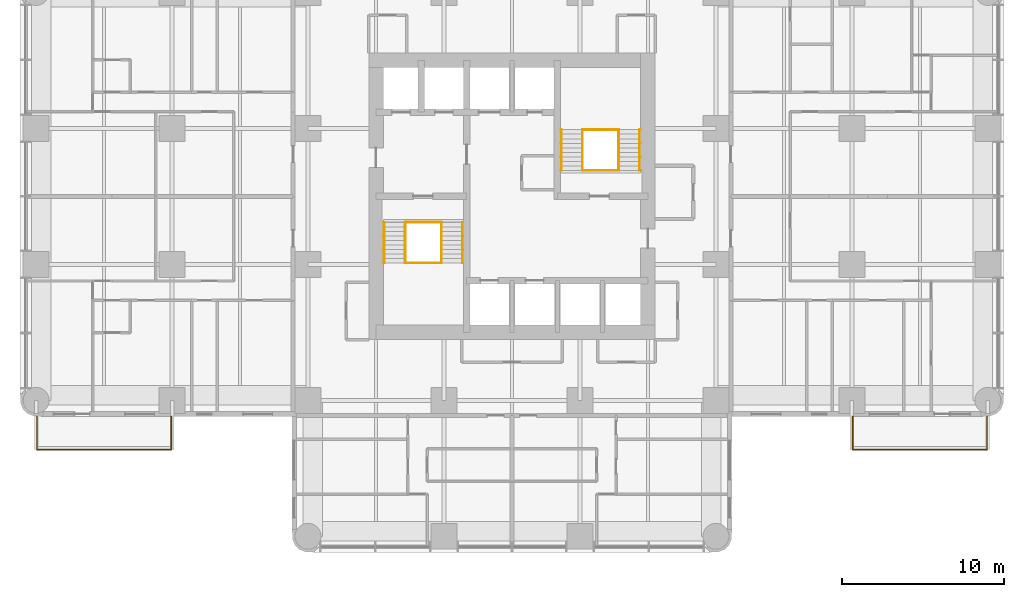
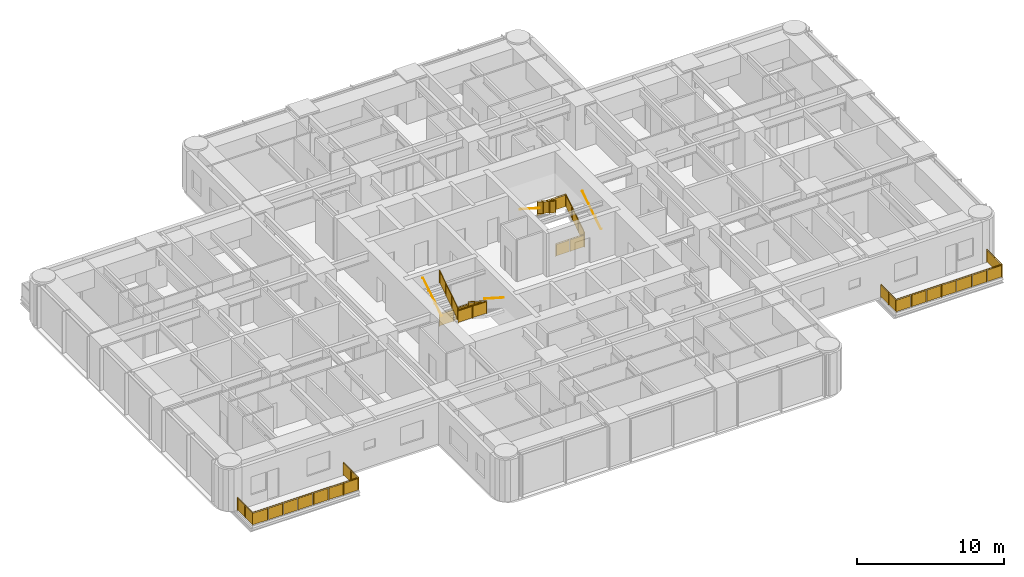
# One storey, part 14 of 15: 14 railings.
"""IFC4 building model written with IfcOpenShell, lengths in metres."""

from ifc_helpers import new_model, si_unit, direction, frame, origin, origin_2d, place, context, subcontext, project, spatial, polyline, circle, outline, extrude, material, constituent, constituent_set, type_object, element, save


model = new_model("IFC4")

# Units and contexts
model_context = context("Model", 3, precision=1e-05, world=origin(), true_north=direction((0.0, 1.0)))
body_context = subcontext(model_context, "Body", "Model", "MODEL_VIEW")
ifc_project = project(units=[si_unit("LENGTHUNIT", "METRE"), si_unit("AREAUNIT", "SQUARE_METRE"), si_unit("VOLUMEUNIT", "CUBIC_METRE"), si_unit("PLANEANGLEUNIT", "RADIAN"), si_unit("MASSUNIT", "GRAM", prefix="KILO")], contexts=[model_context])

# Site, building, storey
site_placement = place(None, origin())
site = spatial("IfcSite", under=ifc_project, at=site_placement, CompositionType="ELEMENT")
building_placement = place(site_placement, origin())
building = spatial("IfcBuilding", under=site, at=building_placement, Name="Torre Alcanfor", CompositionType="ELEMENT")
storey_placement = place(building_placement, frame((0.0, 0.0, 152.10009765625)))
storey = spatial("IfcBuildingStorey", under=building, at=storey_placement, Name="L39", CompositionType="ELEMENT", Elevation=152.10009765625)

# Railings
ifc_material_1 = material(Name="Laminated safety glass", Category="glass")
ifc_constituent_1 = constituent(ifc_material_1, Name="Infill")
ifc_material_2 = material(Name="Stainless steel ASTM A554 Grade MT 316L tube", Category="steel")
ifc_constituent_2 = constituent(ifc_material_2, Name="Posts and rail")
ifc_constituent_set = constituent_set(constituents=[ifc_constituent_1, ifc_constituent_2], Name="Balcony guard glass 1100")
railing_type_1 = type_object("IfcRailingType", Name="Balcony guard glass 1100", PredefinedType="BALUSTRADE", material=ifc_constituent_set)
railing_1_placement = place(storey_placement, frame((50.449951171875, 15.800048828125, 0.0)))
element("IfcRailing", 1, at=railing_1_placement, inside=storey, type_object=railing_type_1, Name="Balcony guard L39-E2", PredefinedType="BALUSTRADE", context=body_context, shape_type="SweptSolid", body=[
    extrude(circle(Radius=0.02392578125, at=origin_2d()), frame((0.0, 0.0, 1.076171875), z_axis=(0.0, -1.0, 0.0), x_axis=(1.0, 0.0, 0.0)), (0.0, 0.0, 1.0), 2.050048828125),
    extrude(circle(Radius=0.02392578125, at=origin_2d()), frame((0.0, -2.050048828125, 1.076171875), z_axis=(1.0, 0.0, 0.0), x_axis=(0.0, 1.0, 0.0)), (0.0, 0.0, 1.0), 8.300048828125),
    extrude(circle(Radius=0.02392578125, at=origin_2d()), frame((8.300048828125, -2.050048828125, 1.076171875), z_axis=(0.0, 1.0, 0.0), x_axis=(-1.0, 0.0, 0.0)), (0.0, 0.0, 1.0), 2.050048828125),
    extrude(circle(Radius=0.02099609375, at=origin_2d()), origin(), (0.0, 0.0, 1.0), 1.052001953125),
    extrude(circle(Radius=0.02099609375, at=origin_2d()), frame((0.0, -1.02490234375, 0.0)), (0.0, 0.0, 1.0), 1.052001953125),
    extrude(circle(Radius=0.02099609375, at=origin_2d()), frame((0.0, -2.050048828125, 0.0)), (0.0, 0.0, 1.0), 1.052001953125),
    extrude(circle(Radius=0.02099609375, at=origin_2d()), frame((1.185791015625, -2.050048828125, 0.0)), (0.0, 0.0, 1.0), 1.052001953125),
    extrude(circle(Radius=0.02099609375, at=origin_2d()), frame((2.371337890625, -2.050048828125, 0.0)), (0.0, 0.0, 1.0), 1.052001953125),
    extrude(circle(Radius=0.02099609375, at=origin_2d()), frame((3.55712890625, -2.050048828125, 0.0)), (0.0, 0.0, 1.0), 1.052001953125),
    extrude(circle(Radius=0.02099609375, at=origin_2d()), frame((4.742919921875, -2.050048828125, 0.0)), (0.0, 0.0, 1.0), 1.052001953125),
    extrude(circle(Radius=0.02099609375, at=origin_2d()), frame((5.9287109375, -2.050048828125, 0.0)), (0.0, 0.0, 1.0), 1.052001953125),
    extrude(circle(Radius=0.02099609375, at=origin_2d()), frame((7.1142578125, -2.050048828125, 0.0)), (0.0, 0.0, 1.0), 1.052001953125),
    extrude(circle(Radius=0.02099609375, at=origin_2d()), frame((8.300048828125, -2.050048828125, 0.0)), (0.0, 0.0, 1.0), 1.052001953125),
    extrude(circle(Radius=0.02099609375, at=origin_2d()), frame((8.300048828125, -1.02490234375, 0.0)), (0.0, 0.0, 1.0), 1.052001953125),
    extrude(circle(Radius=0.02099609375, at=origin_2d()), frame((8.300048828125, 0.0, 0.0)), (0.0, 0.0, 1.0), 1.052001953125),
    extrude(outline(polyline([(0.041015625, 0.050048828125), (0.984130859375, 0.050048828125), (0.984130859375, 1.001953125), (0.041015625, 1.001953125), (0.041015625, 0.050048828125)])), frame((0.005859375, 0.0, 0.0), z_axis=(-1.0, 0.0, 0.0), x_axis=(0.0, -1.0, 0.0)), (0.0, 0.0, 1.0), 0.011962890625),
    extrude(outline(polyline([(1.06591796875, 0.050048828125), (2.009033203125, 0.050048828125), (2.009033203125, 1.001953125), (1.06591796875, 1.001953125), (1.06591796875, 0.050048828125)])), frame((0.005859375, 0.0, 0.0), z_axis=(-1.0, 0.0, 0.0), x_axis=(0.0, -1.0, 0.0)), (0.0, 0.0, 1.0), 0.011962890625),
    extrude(outline(polyline([(0.041015625, 0.050048828125), (1.144775390625, 0.050048828125), (1.144775390625, 1.001953125), (0.041015625, 1.001953125), (0.041015625, 0.050048828125)])), frame((0.0, -2.0439453125, 0.0), z_axis=(0.0, -1.0, 0.0), x_axis=(1.0, 0.0, 0.0)), (0.0, 0.0, 1.0), 0.011962890625),
    extrude(outline(polyline([(1.226806640625, 0.050048828125), (2.330322265625, 0.050048828125), (2.330322265625, 1.001953125), (1.226806640625, 1.001953125), (1.226806640625, 0.050048828125)])), frame((0.0, -2.0439453125, 0.0), z_axis=(0.0, -1.0, 0.0), x_axis=(1.0, 0.0, 0.0)), (0.0, 0.0, 1.0), 0.011962890625),
    extrude(outline(polyline([(2.412353515625, 0.050048828125), (3.51611328125, 0.050048828125), (3.51611328125, 1.001953125), (2.412353515625, 1.001953125), (2.412353515625, 0.050048828125)])), frame((0.0, -2.0439453125, 0.0), z_axis=(0.0, -1.0, 0.0), x_axis=(1.0, 0.0, 0.0)), (0.0, 0.0, 1.0), 0.011962890625),
    extrude(outline(polyline([(3.59814453125, 0.050048828125), (4.701904296875, 0.050048828125), (4.701904296875, 1.001953125), (3.59814453125, 1.001953125), (3.59814453125, 0.050048828125)])), frame((0.0, -2.0439453125, 0.0), z_axis=(0.0, -1.0, 0.0), x_axis=(1.0, 0.0, 0.0)), (0.0, 0.0, 1.0), 0.011962890625),
    extrude(outline(polyline([(4.783935546875, 0.050048828125), (5.8876953125, 0.050048828125), (5.8876953125, 1.001953125), (4.783935546875, 1.001953125), (4.783935546875, 0.050048828125)])), frame((0.0, -2.0439453125, 0.0), z_axis=(0.0, -1.0, 0.0), x_axis=(1.0, 0.0, 0.0)), (0.0, 0.0, 1.0), 0.011962890625),
    extrude(outline(polyline([(5.9697265625, 0.050048828125), (7.0732421875, 0.050048828125), (7.0732421875, 1.001953125), (5.9697265625, 1.001953125), (5.9697265625, 0.050048828125)])), frame((0.0, -2.0439453125, 0.0), z_axis=(0.0, -1.0, 0.0), x_axis=(1.0, 0.0, 0.0)), (0.0, 0.0, 1.0), 0.011962890625),
    extrude(outline(polyline([(7.1552734375, 0.050048828125), (8.259033203125, 0.050048828125), (8.259033203125, 1.001953125), (7.1552734375, 1.001953125), (7.1552734375, 0.050048828125)])), frame((0.0, -2.0439453125, 0.0), z_axis=(0.0, -1.0, 0.0), x_axis=(1.0, 0.0, 0.0)), (0.0, 0.0, 1.0), 0.011962890625),
    extrude(outline(polyline([(0.041015625, 0.050048828125), (0.984130859375, 0.050048828125), (0.984130859375, 1.001953125), (0.041015625, 1.001953125), (0.041015625, 0.050048828125)])), frame((8.2939453125, -2.050048828125, 0.0), z_axis=(1.0, 0.0, 0.0), x_axis=(0.0, 1.0, 0.0)), (0.0, 0.0, 1.0), 0.011962890625),
    extrude(outline(polyline([(1.06591796875, 0.050048828125), (2.009033203125, 0.050048828125), (2.009033203125, 1.001953125), (1.06591796875, 1.001953125), (1.06591796875, 0.050048828125)])), frame((8.2939453125, -2.050048828125, 0.0), z_axis=(1.0, 0.0, 0.0), x_axis=(0.0, 1.0, 0.0)), (0.0, 0.0, 1.0), 0.011962890625),
])
railing_2_placement = place(storey_placement, frame((8.35009765625, 15.800048828125, 0.0)))
element("IfcRailing", 2, at=railing_2_placement, inside=storey, type_object=railing_type_1, Name="Balcony guard L39-W1", PredefinedType="BALUSTRADE", context=body_context, shape_type="SweptSolid", body=[
    extrude(circle(Radius=0.02392578125, at=origin_2d()), frame((0.0, 0.0, 1.076171875), z_axis=(0.0, -1.0, 0.0), x_axis=(1.0, 0.0, 0.0)), (0.0, 0.0, 1.0), 2.050048828125),
    extrude(circle(Radius=0.02392578125, at=origin_2d()), frame((0.0, -2.050048828125, 1.076171875), z_axis=(-1.0, 0.0, 0.0), x_axis=(0.0, -1.0, 0.0)), (0.0, 0.0, 1.0), 8.300048828125),
    extrude(circle(Radius=0.02392578125, at=origin_2d()), frame((-8.300048828125, -2.050048828125, 1.076171875), z_axis=(0.0, 1.0, 0.0), x_axis=(-1.0, 0.0, 0.0)), (0.0, 0.0, 1.0), 2.050048828125),
    extrude(circle(Radius=0.02099609375, at=origin_2d()), origin(), (0.0, 0.0, 1.0), 1.052001953125),
    extrude(circle(Radius=0.02099609375, at=origin_2d()), frame((0.0, -1.02490234375, 0.0)), (0.0, 0.0, 1.0), 1.052001953125),
    extrude(circle(Radius=0.02099609375, at=origin_2d()), frame((0.0, -2.050048828125, 0.0)), (0.0, 0.0, 1.0), 1.052001953125),
    extrude(circle(Radius=0.02099609375, at=origin_2d()), frame((-1.185791015625, -2.050048828125, 0.0)), (0.0, 0.0, 1.0), 1.052001953125),
    extrude(circle(Radius=0.02099609375, at=origin_2d()), frame((-2.371337890625, -2.050048828125, 0.0)), (0.0, 0.0, 1.0), 1.052001953125),
    extrude(circle(Radius=0.02099609375, at=origin_2d()), frame((-3.55712890625, -2.050048828125, 0.0)), (0.0, 0.0, 1.0), 1.052001953125),
    extrude(circle(Radius=0.02099609375, at=origin_2d()), frame((-4.742919921875, -2.050048828125, 0.0)), (0.0, 0.0, 1.0), 1.052001953125),
    extrude(circle(Radius=0.02099609375, at=origin_2d()), frame((-5.9287109375, -2.050048828125, 0.0)), (0.0, 0.0, 1.0), 1.052001953125),
    extrude(circle(Radius=0.02099609375, at=origin_2d()), frame((-7.1142578125, -2.050048828125, 0.0)), (0.0, 0.0, 1.0), 1.052001953125),
    extrude(circle(Radius=0.02099609375, at=origin_2d()), frame((-8.300048828125, -2.050048828125, 0.0)), (0.0, 0.0, 1.0), 1.052001953125),
    extrude(circle(Radius=0.02099609375, at=origin_2d()), frame((-8.300048828125, -1.02490234375, 0.0)), (0.0, 0.0, 1.0), 1.052001953125),
    extrude(circle(Radius=0.02099609375, at=origin_2d()), frame((-8.300048828125, 0.0, 0.0)), (0.0, 0.0, 1.0), 1.052001953125),
    extrude(outline(polyline([(0.041015625, 0.050048828125), (0.984130859375, 0.050048828125), (0.984130859375, 1.001953125), (0.041015625, 1.001953125), (0.041015625, 0.050048828125)])), frame((0.005859375, 0.0, 0.0), z_axis=(-1.0, 0.0, 0.0), x_axis=(0.0, -1.0, 0.0)), (0.0, 0.0, 1.0), 0.011962890625),
    extrude(outline(polyline([(1.06591796875, 0.050048828125), (2.009033203125, 0.050048828125), (2.009033203125, 1.001953125), (1.06591796875, 1.001953125), (1.06591796875, 0.050048828125)])), frame((0.005859375, 0.0, 0.0), z_axis=(-1.0, 0.0, 0.0), x_axis=(0.0, -1.0, 0.0)), (0.0, 0.0, 1.0), 0.011962890625),
    extrude(outline(polyline([(0.041015625, 0.050048828125), (1.144775390625, 0.050048828125), (1.144775390625, 1.001953125), (0.041015625, 1.001953125), (0.041015625, 0.050048828125)])), frame((0.0, -2.05615234375, 0.0), z_axis=(0.0, 1.0, 0.0), x_axis=(-1.0, 0.0, 0.0)), (0.0, 0.0, 1.0), 0.011962890625),
    extrude(outline(polyline([(1.226806640625, 0.050048828125), (2.330322265625, 0.050048828125), (2.330322265625, 1.001953125), (1.226806640625, 1.001953125), (1.226806640625, 0.050048828125)])), frame((0.0, -2.05615234375, 0.0), z_axis=(0.0, 1.0, 0.0), x_axis=(-1.0, 0.0, 0.0)), (0.0, 0.0, 1.0), 0.011962890625),
    extrude(outline(polyline([(2.412353515625, 0.050048828125), (3.51611328125, 0.050048828125), (3.51611328125, 1.001953125), (2.412353515625, 1.001953125), (2.412353515625, 0.050048828125)])), frame((0.0, -2.05615234375, 0.0), z_axis=(0.0, 1.0, 0.0), x_axis=(-1.0, 0.0, 0.0)), (0.0, 0.0, 1.0), 0.011962890625),
    extrude(outline(polyline([(3.59814453125, 0.050048828125), (4.701904296875, 0.050048828125), (4.701904296875, 1.001953125), (3.59814453125, 1.001953125), (3.59814453125, 0.050048828125)])), frame((0.0, -2.05615234375, 0.0), z_axis=(0.0, 1.0, 0.0), x_axis=(-1.0, 0.0, 0.0)), (0.0, 0.0, 1.0), 0.011962890625),
    extrude(outline(polyline([(4.783935546875, 0.050048828125), (5.8876953125, 0.050048828125), (5.8876953125, 1.001953125), (4.783935546875, 1.001953125), (4.783935546875, 0.050048828125)])), frame((0.0, -2.05615234375, 0.0), z_axis=(0.0, 1.0, 0.0), x_axis=(-1.0, 0.0, 0.0)), (0.0, 0.0, 1.0), 0.011962890625),
    extrude(outline(polyline([(5.9697265625, 0.050048828125), (7.0732421875, 0.050048828125), (7.0732421875, 1.001953125), (5.9697265625, 1.001953125), (5.9697265625, 0.050048828125)])), frame((0.0, -2.05615234375, 0.0), z_axis=(0.0, 1.0, 0.0), x_axis=(-1.0, 0.0, 0.0)), (0.0, 0.0, 1.0), 0.011962890625),
    extrude(outline(polyline([(7.1552734375, 0.050048828125), (8.259033203125, 0.050048828125), (8.259033203125, 1.001953125), (7.1552734375, 1.001953125), (7.1552734375, 0.050048828125)])), frame((0.0, -2.05615234375, 0.0), z_axis=(0.0, 1.0, 0.0), x_axis=(-1.0, 0.0, 0.0)), (0.0, 0.0, 1.0), 0.011962890625),
    extrude(outline(polyline([(0.041015625, 0.050048828125), (0.984130859375, 0.050048828125), (0.984130859375, 1.001953125), (0.041015625, 1.001953125), (0.041015625, 0.050048828125)])), frame((-8.30615234375, -2.050048828125, 0.0), z_axis=(1.0, 0.0, 0.0), x_axis=(0.0, 1.0, 0.0)), (0.0, 0.0, 1.0), 0.011962890625),
    extrude(outline(polyline([(1.06591796875, 0.050048828125), (2.009033203125, 0.050048828125), (2.009033203125, 1.001953125), (1.06591796875, 1.001953125), (1.06591796875, 0.050048828125)])), frame((-8.30615234375, -2.050048828125, 0.0), z_axis=(1.0, 0.0, 0.0), x_axis=(0.0, 1.0, 0.0)), (0.0, 0.0, 1.0), 0.011962890625),
])
ifc_material_3 = material(Name="Steel ASTM A500 Grade C hollow sections", Category="steel")
railing_type_2 = type_object("IfcRailingType", Name="Stair guard and handrail 1100", PredefinedType="GUARDRAIL", material=ifc_material_3)
railing_3_placement = place(storey_placement, frame((25.050048828125, 27.800048828125, 0.179931640625)))
element("IfcRailing", 3, at=railing_3_placement, inside=storey, type_object=railing_type_2, Name="Stair guard S1 L39 flight 1", PredefinedType="GUARDRAIL", context=body_context, shape_type="SweptSolid", body=[
    extrude(circle(Radius=0.02392578125, at=origin_2d()), frame((0.0, 0.0, 1.076171875), z_axis=(0.0, -0.841199657755, 0.540724639528), x_axis=(1.0, 0.0, 0.0)), (0.0, 0.0, 1.0), 2.995849609375),
    extrude(circle(Radius=0.02099609375, at=origin_2d()), origin(), (0.0, 0.0, 1.0), 1.052001953125),
    extrude(circle(Radius=0.02099609375, at=origin_2d()), frame((0.0, -0.840087890625, 0.5400390625)), (0.0, 0.0, 1.0), 1.052001953125),
    extrude(circle(Radius=0.02099609375, at=origin_2d()), frame((0.0, -1.679931640625, 1.079833984375)), (0.0, 0.0, 1.0), 1.052001953125),
    extrude(circle(Radius=0.02099609375, at=origin_2d()), frame((0.0, -2.52001953125, 1.619873046875)), (0.0, 0.0, 1.0), 1.052001953125),
    extrude(outline(polyline([(0.041015625, 0.076416015625), (0.799072265625, 0.563720703125), (0.799072265625, 1.515625), (0.041015625, 1.0283203125), (0.041015625, 0.076416015625)])), frame((0.005859375, 0.0, 0.0), z_axis=(-1.0, 0.0, 0.0), x_axis=(0.0, -1.0, 0.0)), (0.0, 0.0, 1.0), 0.011962890625),
    extrude(outline(polyline([(0.881103515625, 0.6162109375), (1.638916015625, 1.103515625), (1.638916015625, 2.0556640625), (0.881103515625, 1.568359375), (0.881103515625, 0.6162109375)])), frame((0.005859375, 0.0, 0.0), z_axis=(-1.0, 0.0, 0.0), x_axis=(0.0, -1.0, 0.0)), (0.0, 0.0, 1.0), 0.011962890625),
    extrude(outline(polyline([(1.720947265625, 1.15625), (2.47900390625, 1.6435546875), (2.47900390625, 2.595458984375), (1.720947265625, 2.108154296875), (1.720947265625, 1.15625)])), frame((0.005859375, 0.0, 0.0), z_axis=(-1.0, 0.0, 0.0), x_axis=(0.0, -1.0, 0.0)), (0.0, 0.0, 1.0), 0.011962890625),
])
railing_4_placement = place(storey_placement, frame((22.800048828125, 25.280029296875, 1.97998046875)))
element("IfcRailing", 4, at=railing_4_placement, inside=storey, type_object=railing_type_2, Name="Stair guard S1 L39 flight 2", PredefinedType="GUARDRAIL", context=body_context, shape_type="SweptSolid", body=[
    extrude(circle(Radius=0.02392578125, at=origin_2d()), frame((0.0, 0.0, 1.076171875), z_axis=(0.0, 0.841199657755, 0.540724639528), x_axis=(-1.0, 0.0, 0.0)), (0.0, 0.0, 1.0), 2.995849609375),
    extrude(circle(Radius=0.02099609375, at=origin_2d()), origin(), (0.0, 0.0, 1.0), 1.052001953125),
    extrude(circle(Radius=0.02099609375, at=origin_2d()), frame((0.0, 0.840087890625, 0.5400390625)), (0.0, 0.0, 1.0), 1.052001953125),
    extrude(circle(Radius=0.02099609375, at=origin_2d()), frame((0.0, 1.679931640625, 1.079833984375)), (0.0, 0.0, 1.0), 1.052001953125),
    extrude(circle(Radius=0.02099609375, at=origin_2d()), frame((0.0, 2.52001953125, 1.619873046875)), (0.0, 0.0, 1.0), 1.052001953125),
    extrude(outline(polyline([(0.041015625, 0.076416015625), (0.799072265625, 0.563720703125), (0.799072265625, 1.515625), (0.041015625, 1.0283203125), (0.041015625, 0.076416015625)])), frame((-0.005859375, 0.0, 0.0), z_axis=(1.0, 0.0, 0.0), x_axis=(0.0, 1.0, 0.0)), (0.0, 0.0, 1.0), 0.011962890625),
    extrude(outline(polyline([(0.881103515625, 0.6162109375), (1.638916015625, 1.103515625), (1.638916015625, 2.0556640625), (0.881103515625, 1.568359375), (0.881103515625, 0.6162109375)])), frame((-0.005859375, 0.0, 0.0), z_axis=(1.0, 0.0, 0.0), x_axis=(0.0, 1.0, 0.0)), (0.0, 0.0, 1.0), 0.011962890625),
    extrude(outline(polyline([(1.720947265625, 1.15625), (2.47900390625, 1.6435546875), (2.47900390625, 2.595458984375), (1.720947265625, 2.108154296875), (1.720947265625, 1.15625)])), frame((-0.005859375, 0.0, 0.0), z_axis=(1.0, 0.0, 0.0), x_axis=(0.0, 1.0, 0.0)), (0.0, 0.0, 1.0), 0.011962890625),
])
for number, where, name in (
    (5, (22.800048828125, 27.800048828125, 0.0), "Stair well guard S1 L39 floor landing"),
    (6, (22.800048828125, 25.280029296875, 1.7998046875), "Stair well guard S1 L39 half landing"),
):
    element("IfcRailing", number, at=place(storey_placement, frame(where)), inside=storey, type_object=railing_type_2, Name=name, PredefinedType="GUARDRAIL", context=body_context, shape_type="SweptSolid", body=[
        extrude(circle(Radius=0.02392578125, at=origin_2d()), frame((0.0, 0.0, 1.076171875), z_axis=(1.0, 0.0, 0.0), x_axis=(0.0, 1.0, 0.0)), (0.0, 0.0, 1.0), 2.25),
        extrude(circle(Radius=0.02099609375, at=origin_2d()), origin(), (0.0, 0.0, 1.0), 1.052001953125),
        extrude(circle(Radius=0.02099609375, at=origin_2d()), frame((1.125, 0.0, 0.0)), (0.0, 0.0, 1.0), 1.052001953125),
        extrude(circle(Radius=0.02099609375, at=origin_2d()), frame((2.25, 0.0, 0.0)), (0.0, 0.0, 1.0), 1.052001953125),
        extrude(outline(polyline([(0.041015625, 0.050048828125), (1.083984375, 0.050048828125), (1.083984375, 1.001953125), (0.041015625, 1.001953125), (0.041015625, 0.050048828125)])), frame((0.0, 0.005859375, 0.0), z_axis=(0.0, -1.0, 0.0), x_axis=(1.0, 0.0, 0.0)), (0.0, 0.0, 1.0), 0.011962890625),
        extrude(outline(polyline([(1.166015625, 0.050048828125), (2.208984375, 0.050048828125), (2.208984375, 1.001953125), (1.166015625, 1.001953125), (1.166015625, 0.050048828125)])), frame((0.0, 0.005859375, 0.0), z_axis=(0.0, -1.0, 0.0), x_axis=(1.0, 0.0, 0.0)), (0.0, 0.0, 1.0), 0.011962890625),
    ])
railing_5_placement = place(storey_placement, frame((36.0, 31.0, 0.179931640625)))
element("IfcRailing", 7, at=railing_5_placement, inside=storey, type_object=railing_type_2, Name="Stair guard S2 L39 flight 1", PredefinedType="GUARDRAIL", context=body_context, shape_type="SweptSolid", body=[
    extrude(circle(Radius=0.02392578125, at=origin_2d()), frame((0.0, 0.0, 1.076171875), z_axis=(0.0, 0.841199657755, 0.540724639528), x_axis=(-1.0, 0.0, 0.0)), (0.0, 0.0, 1.0), 2.995849609375),
    extrude(circle(Radius=0.02099609375, at=origin_2d()), origin(), (0.0, 0.0, 1.0), 1.052001953125),
    extrude(circle(Radius=0.02099609375, at=origin_2d()), frame((0.0, 0.840087890625, 0.5400390625)), (0.0, 0.0, 1.0), 1.052001953125),
    extrude(circle(Radius=0.02099609375, at=origin_2d()), frame((0.0, 1.679931640625, 1.079833984375)), (0.0, 0.0, 1.0), 1.052001953125),
    extrude(circle(Radius=0.02099609375, at=origin_2d()), frame((0.0, 2.52001953125, 1.619873046875)), (0.0, 0.0, 1.0), 1.052001953125),
    extrude(outline(polyline([(0.041015625, 0.076416015625), (0.799072265625, 0.563720703125), (0.799072265625, 1.515625), (0.041015625, 1.0283203125), (0.041015625, 0.076416015625)])), frame((-0.005859375, 0.0, 0.0), z_axis=(1.0, 0.0, 0.0), x_axis=(0.0, 1.0, 0.0)), (0.0, 0.0, 1.0), 0.011962890625),
    extrude(outline(polyline([(0.881103515625, 0.6162109375), (1.638916015625, 1.103515625), (1.638916015625, 2.0556640625), (0.881103515625, 1.568359375), (0.881103515625, 0.6162109375)])), frame((-0.005859375, 0.0, 0.0), z_axis=(1.0, 0.0, 0.0), x_axis=(0.0, 1.0, 0.0)), (0.0, 0.0, 1.0), 0.011962890625),
    extrude(outline(polyline([(1.720947265625, 1.15625), (2.47900390625, 1.6435546875), (2.47900390625, 2.595458984375), (1.720947265625, 2.108154296875), (1.720947265625, 1.15625)])), frame((-0.005859375, 0.0, 0.0), z_axis=(1.0, 0.0, 0.0), x_axis=(0.0, 1.0, 0.0)), (0.0, 0.0, 1.0), 0.011962890625),
])
railing_6_placement = place(storey_placement, frame((33.75, 33.52001953125, 1.97998046875)))
element("IfcRailing", 8, at=railing_6_placement, inside=storey, type_object=railing_type_2, Name="Stair guard S2 L39 flight 2", PredefinedType="GUARDRAIL", context=body_context, shape_type="SweptSolid", body=[
    extrude(circle(Radius=0.02392578125, at=origin_2d()), frame((0.0, 0.0, 1.076171875), z_axis=(0.0, -0.841199657755, 0.540724639528), x_axis=(1.0, 0.0, 0.0)), (0.0, 0.0, 1.0), 2.995849609375),
    extrude(circle(Radius=0.02099609375, at=origin_2d()), origin(), (0.0, 0.0, 1.0), 1.052001953125),
    extrude(circle(Radius=0.02099609375, at=origin_2d()), frame((0.0, -0.840087890625, 0.5400390625)), (0.0, 0.0, 1.0), 1.052001953125),
    extrude(circle(Radius=0.02099609375, at=origin_2d()), frame((0.0, -1.679931640625, 1.079833984375)), (0.0, 0.0, 1.0), 1.052001953125),
    extrude(circle(Radius=0.02099609375, at=origin_2d()), frame((0.0, -2.52001953125, 1.619873046875)), (0.0, 0.0, 1.0), 1.052001953125),
    extrude(outline(polyline([(0.041015625, 0.076416015625), (0.799072265625, 0.563720703125), (0.799072265625, 1.515625), (0.041015625, 1.0283203125), (0.041015625, 0.076416015625)])), frame((0.005859375, 0.0, 0.0), z_axis=(-1.0, 0.0, 0.0), x_axis=(0.0, -1.0, 0.0)), (0.0, 0.0, 1.0), 0.011962890625),
    extrude(outline(polyline([(0.881103515625, 0.6162109375), (1.638916015625, 1.103515625), (1.638916015625, 2.0556640625), (0.881103515625, 1.568359375), (0.881103515625, 0.6162109375)])), frame((0.005859375, 0.0, 0.0), z_axis=(-1.0, 0.0, 0.0), x_axis=(0.0, -1.0, 0.0)), (0.0, 0.0, 1.0), 0.011962890625),
    extrude(outline(polyline([(1.720947265625, 1.15625), (2.47900390625, 1.6435546875), (2.47900390625, 2.595458984375), (1.720947265625, 2.108154296875), (1.720947265625, 1.15625)])), frame((0.005859375, 0.0, 0.0), z_axis=(-1.0, 0.0, 0.0), x_axis=(0.0, -1.0, 0.0)), (0.0, 0.0, 1.0), 0.011962890625),
])
for number, where, name in (
    (9, (33.75, 31.0, 0.0), "Stair well guard S2 L39 floor landing"),
    (10, (33.75, 33.52001953125, 1.7998046875), "Stair well guard S2 L39 half landing"),
):
    element("IfcRailing", number, at=place(storey_placement, frame(where)), inside=storey, type_object=railing_type_2, Name=name, PredefinedType="GUARDRAIL", context=body_context, shape_type="SweptSolid", body=[
        extrude(circle(Radius=0.02392578125, at=origin_2d()), frame((0.0, 0.0, 1.076171875), z_axis=(1.0, 0.0, 0.0), x_axis=(0.0, 1.0, 0.0)), (0.0, 0.0, 1.0), 2.25),
        extrude(circle(Radius=0.02099609375, at=origin_2d()), origin(), (0.0, 0.0, 1.0), 1.052001953125),
        extrude(circle(Radius=0.02099609375, at=origin_2d()), frame((1.125, 0.0, 0.0)), (0.0, 0.0, 1.0), 1.052001953125),
        extrude(circle(Radius=0.02099609375, at=origin_2d()), frame((2.25, 0.0, 0.0)), (0.0, 0.0, 1.0), 1.052001953125),
        extrude(outline(polyline([(0.041015625, 0.050048828125), (1.083984375, 0.050048828125), (1.083984375, 1.001953125), (0.041015625, 1.001953125), (0.041015625, 0.050048828125)])), frame((0.0, 0.005859375, 0.0), z_axis=(0.0, -1.0, 0.0), x_axis=(1.0, 0.0, 0.0)), (0.0, 0.0, 1.0), 0.011962890625),
        extrude(outline(polyline([(1.166015625, 0.050048828125), (2.208984375, 0.050048828125), (2.208984375, 1.001953125), (1.166015625, 1.001953125), (1.166015625, 0.050048828125)])), frame((0.0, 0.005859375, 0.0), z_axis=(0.0, -1.0, 0.0), x_axis=(1.0, 0.0, 0.0)), (0.0, 0.0, 1.0), 0.011962890625),
    ])
ifc_material_4 = material(Name="Steel ASTM A500 Grade C hollow sections", Category="steel")
railing_type_3 = type_object("IfcRailingType", Name="Stair wall handrail 900", PredefinedType="HANDRAIL", material=ifc_material_4)
railing_7_placement = place(storey_placement, frame((26.3349609375, 27.800048828125, 0.179931640625)))
element("IfcRailing", 11, at=railing_7_placement, inside=storey, type_object=railing_type_3, Name="Stair handrail S1 L39 flight 1", PredefinedType="HANDRAIL", context=body_context, shape_type="SweptSolid", body=[
    extrude(circle(Radius=0.02392578125, at=origin_2d()), frame((0.0, 0.0, 0.8759765625), z_axis=(0.0, -0.841199657755, 0.540724639528), x_axis=(1.0, 0.0, 0.0)), (0.0, 0.0, 1.0), 2.995849609375),
    extrude(circle(Radius=0.008056640625, at=origin_2d()), frame((0.0, 0.0, 0.8759765625), z_axis=(1.0, 0.0, 0.0), x_axis=(0.0, 0.0, 1.0)), (0.0, 0.0, 1.0), 0.06494140625),
    extrude(circle(Radius=0.008056640625, at=origin_2d()), frame((0.0, -0.840087890625, 1.415771484375), z_axis=(1.0, 0.0, 0.0), x_axis=(0.0, 0.0, 1.0)), (0.0, 0.0, 1.0), 0.06494140625),
    extrude(circle(Radius=0.008056640625, at=origin_2d()), frame((0.0, -1.679931640625, 1.955810546875), z_axis=(1.0, 0.0, 0.0), x_axis=(0.0, 0.0, 1.0)), (0.0, 0.0, 1.0), 0.06494140625),
    extrude(circle(Radius=0.008056640625, at=origin_2d()), frame((0.0, -2.52001953125, 2.49560546875), z_axis=(1.0, 0.0, 0.0), x_axis=(0.0, 0.0, 1.0)), (0.0, 0.0, 1.0), 0.06494140625),
])
railing_8_placement = place(storey_placement, frame((21.514892578125, 25.280029296875, 1.97998046875)))
element("IfcRailing", 12, at=railing_8_placement, inside=storey, type_object=railing_type_3, Name="Stair handrail S1 L39 flight 2", PredefinedType="HANDRAIL", context=body_context, shape_type="SweptSolid", body=[
    extrude(circle(Radius=0.02392578125, at=origin_2d()), frame((0.0, 0.0, 0.8759765625), z_axis=(0.0, 0.841199657755, 0.540724639528), x_axis=(-1.0, 0.0, 0.0)), (0.0, 0.0, 1.0), 2.995849609375),
    extrude(circle(Radius=0.008056640625, at=origin_2d()), frame((0.0, 0.0, 0.8759765625), z_axis=(-1.0, 0.0, 0.0), x_axis=(0.0, 0.0, 1.0)), (0.0, 0.0, 1.0), 0.06494140625),
    extrude(circle(Radius=0.008056640625, at=origin_2d()), frame((0.0, 0.840087890625, 1.415771484375), z_axis=(-1.0, 0.0, 0.0), x_axis=(0.0, 0.0, 1.0)), (0.0, 0.0, 1.0), 0.06494140625),
    extrude(circle(Radius=0.008056640625, at=origin_2d()), frame((0.0, 1.679931640625, 1.955810546875), z_axis=(-1.0, 0.0, 0.0), x_axis=(0.0, 0.0, 1.0)), (0.0, 0.0, 1.0), 0.06494140625),
    extrude(circle(Radius=0.008056640625, at=origin_2d()), frame((0.0, 2.52001953125, 2.49560546875), z_axis=(-1.0, 0.0, 0.0), x_axis=(0.0, 0.0, 1.0)), (0.0, 0.0, 1.0), 0.06494140625),
])
railing_9_placement = place(storey_placement, frame((37.284912109375, 31.0, 0.179931640625)))
element("IfcRailing", 13, at=railing_9_placement, inside=storey, type_object=railing_type_3, Name="Stair handrail S2 L39 flight 1", PredefinedType="HANDRAIL", context=body_context, shape_type="SweptSolid", body=[
    extrude(circle(Radius=0.02392578125, at=origin_2d()), frame((0.0, 0.0, 0.8759765625), z_axis=(0.0, 0.841199657755, 0.540724639528), x_axis=(-1.0, 0.0, 0.0)), (0.0, 0.0, 1.0), 2.995849609375),
    extrude(circle(Radius=0.008056640625, at=origin_2d()), frame((0.0, 0.0, 0.8759765625), z_axis=(1.0, 0.0, 0.0), x_axis=(0.0, 0.0, 1.0)), (0.0, 0.0, 1.0), 0.06494140625),
    extrude(circle(Radius=0.008056640625, at=origin_2d()), frame((0.0, 0.840087890625, 1.415771484375), z_axis=(1.0, 0.0, 0.0), x_axis=(0.0, 0.0, 1.0)), (0.0, 0.0, 1.0), 0.06494140625),
    extrude(circle(Radius=0.008056640625, at=origin_2d()), frame((0.0, 1.679931640625, 1.955810546875), z_axis=(1.0, 0.0, 0.0), x_axis=(0.0, 0.0, 1.0)), (0.0, 0.0, 1.0), 0.06494140625),
    extrude(circle(Radius=0.008056640625, at=origin_2d()), frame((0.0, 2.52001953125, 2.49560546875), z_axis=(1.0, 0.0, 0.0), x_axis=(0.0, 0.0, 1.0)), (0.0, 0.0, 1.0), 0.06494140625),
])
railing_10_placement = place(storey_placement, frame((32.465087890625, 33.52001953125, 1.97998046875)))
element("IfcRailing", 14, at=railing_10_placement, inside=storey, type_object=railing_type_3, Name="Stair handrail S2 L39 flight 2", PredefinedType="HANDRAIL", context=body_context, shape_type="SweptSolid", body=[
    extrude(circle(Radius=0.02392578125, at=origin_2d()), frame((0.0, 0.0, 0.8759765625), z_axis=(0.0, -0.841199657755, 0.540724639528), x_axis=(1.0, 0.0, 0.0)), (0.0, 0.0, 1.0), 2.995849609375),
    extrude(circle(Radius=0.008056640625, at=origin_2d()), frame((0.0, 0.0, 0.8759765625), z_axis=(-1.0, 0.0, 0.0), x_axis=(0.0, 0.0, 1.0)), (0.0, 0.0, 1.0), 0.06494140625),
    extrude(circle(Radius=0.008056640625, at=origin_2d()), frame((0.0, -0.840087890625, 1.415771484375), z_axis=(-1.0, 0.0, 0.0), x_axis=(0.0, 0.0, 1.0)), (0.0, 0.0, 1.0), 0.06494140625),
    extrude(circle(Radius=0.008056640625, at=origin_2d()), frame((0.0, -1.679931640625, 1.955810546875), z_axis=(-1.0, 0.0, 0.0), x_axis=(0.0, 0.0, 1.0)), (0.0, 0.0, 1.0), 0.06494140625),
    extrude(circle(Radius=0.008056640625, at=origin_2d()), frame((0.0, -2.52001953125, 2.49560546875), z_axis=(-1.0, 0.0, 0.0), x_axis=(0.0, 0.0, 1.0)), (0.0, 0.0, 1.0), 0.06494140625),
])

save(model, "model.ifc")
